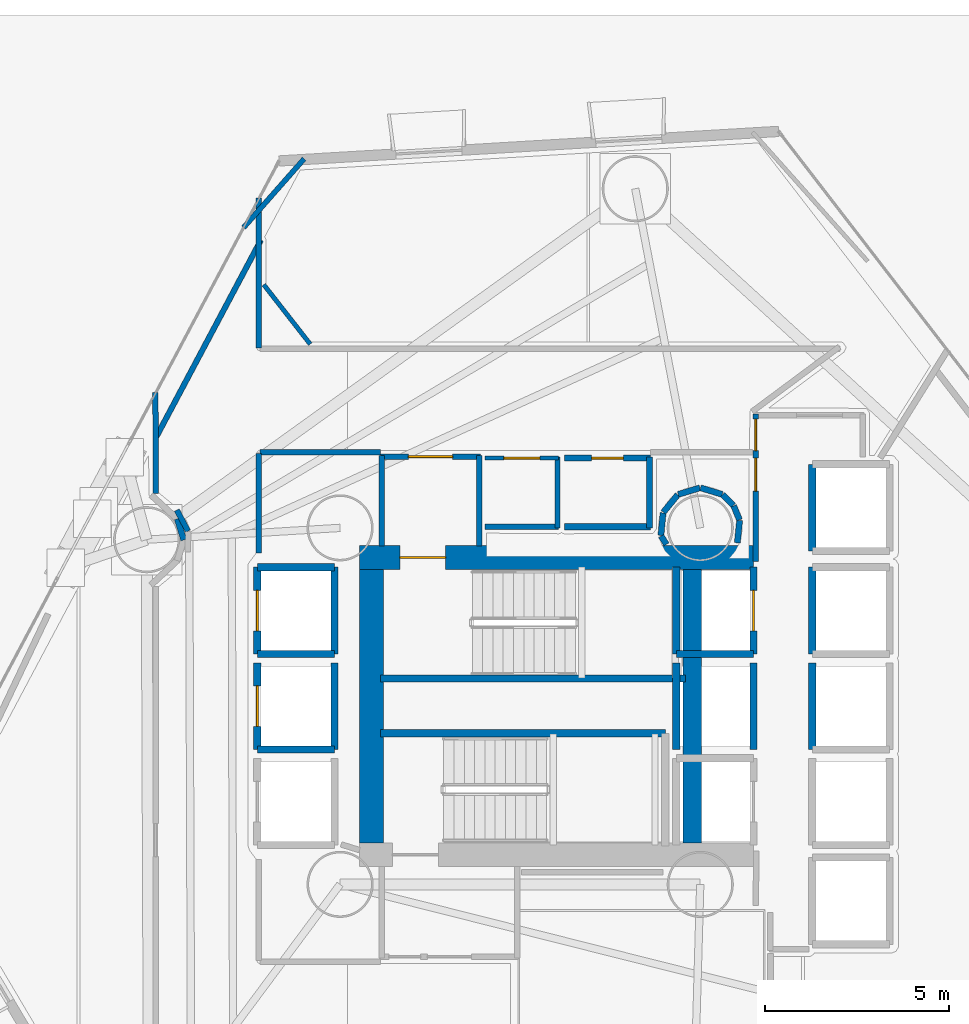
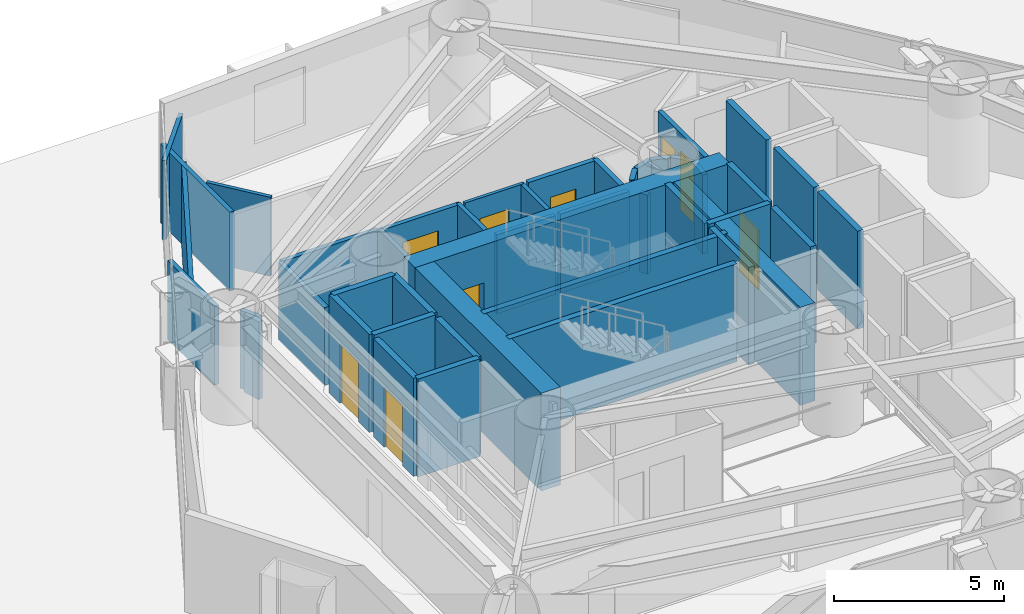
# One storey, part 17 of 22: 47 walls, 9 doors, 9 openings.
"""IFC4 building model written with IfcOpenShell, lengths in metres."""

from ifc_helpers import new_model, si_unit, direction, frame, frame_2d, origin, place, context, subcontext, project, spatial, rectangle, extrude, material, layer, layer_set, type_object, element, fill, save


model = new_model("IFC4")

# Units and contexts
model_context = context("Model", 3, precision=1e-05, world=origin(), true_north=direction((0.0, 1.0)))
body_context = subcontext(model_context, "Body", "Model", "MODEL_VIEW")
ifc_project = project(units=[si_unit("LENGTHUNIT", "METRE"), si_unit("AREAUNIT", "SQUARE_METRE"), si_unit("VOLUMEUNIT", "CUBIC_METRE"), si_unit("PLANEANGLEUNIT", "RADIAN"), si_unit("MASSUNIT", "GRAM", prefix="KILO")], contexts=[model_context])

# Site, building, storey
site_placement = place(None, origin())
site = spatial("IfcSite", under=ifc_project, at=site_placement, CompositionType="ELEMENT")
building_placement = place(site_placement, origin())
building = spatial("IfcBuilding", under=site, at=building_placement, Name="Qianvela Tower", CompositionType="ELEMENT")
storey_placement = place(building_placement, frame((0.0, 0.0, 25.699951171875)))
storey = spatial("IfcBuildingStorey", under=building, at=storey_placement, Name="L05", CompositionType="ELEMENT", Elevation=25.699951171875)

# Wall, opening, door
ifc_material_1 = material(Name="Concrete C60", Category="concrete")
ifc_layer_1 = layer(ifc_material_1, 0.64990234375)
ifc_layer_set_1 = layer_set([ifc_layer_1], Name="Concrete C60")
wall_type_1 = type_object("IfcWallType", Name="WT-CORE-650", PredefinedType="SHEAR", material=ifc_layer_set_1)
wall_1_placement = place(storey_placement, frame((29.1298828125, 32.7451171875, 0.0), z_axis=(0.0, 0.0, 1.0), x_axis=(1.0, 0.0, 0.0)))
wall_1 = element("IfcWall", 1, at=wall_1_placement, inside=storey, type_object=wall_type_1, Name="L05 North Core Shear Wall", PredefinedType="SHEAR", context=body_context, shape_type="SweptSolid", body=[
    extrude(rectangle(XDim=10.72021484375, YDim=0.64990234375, at=frame_2d((5.360107421875, 0.0))), origin(), (0.0, 0.0, 1.0), 3.52001953125),
])
opening_1_placement = place(wall_1_placement, frame((1.094970703125, 0.0, 0.0)))
opening_1 = element("IfcOpeningElement", 2, at=opening_1_placement, cuts=wall_1, Name="Opening D-ST1", PredefinedType="OPENING", context=body_context, shape_type="SweptSolid", body=[
    extrude(rectangle(XDim=1.25, YDim=2.14990234375, at=frame_2d((0.625, 1.074951171875))), frame((0.0, 0.3349609375, 0.0), z_axis=(0.0, -1.0, 0.0), x_axis=(1.0, 0.0, 0.0)), (0.0, 0.0, 1.0), 0.669921875),
])
ifc_material_2 = material(Name="Galvanised Fire Steel Q355B", Category="steel")
door_type_1 = type_object("IfcDoorType", Name="DT-STAIR-FD90", OperationType="NOTDEFINED", PredefinedType="DOOR", material=ifc_material_2)
door_1_placement = place(opening_1_placement, origin())
door_1 = element("IfcDoor", 3, at=door_1_placement, inside=storey, type_object=door_type_1, Name="L05 Stair ST-1 Exit Door", OperationType="SINGLE_SWING_RIGHT", OverallHeight=2.14990234375, OverallWidth=1.25, PredefinedType="DOOR", context=body_context, shape_type="SweptSolid", body=[
    extrude(rectangle(XDim=1.25, YDim=2.14990234375, at=frame_2d((0.625, 1.074951171875))), frame((0.0, 0.02490234375, 0.0), z_axis=(0.0, -1.0, 0.0), x_axis=(1.0, 0.0, 0.0)), (0.0, 0.0, 1.0), 0.050048828125),
])
fill(opening_1, door_1)

# Walls
wall_2_placement = place(storey_placement, frame((29.455078125, 24.97998046875, 0.0), z_axis=(0.0, 0.0, 1.0), x_axis=(0.0, 1.0, 0.0)))
element("IfcWall", 4, at=wall_2_placement, inside=storey, type_object=wall_type_1, Name="L05 West Core Shear Wall", PredefinedType="SHEAR", context=body_context, shape_type="SweptSolid", body=[
    extrude(rectangle(XDim=7.43994140625, YDim=0.64990234375, at=frame_2d((3.719970703125, 0.0))), origin(), (0.0, 0.0, 1.0), 3.52001953125),
])
wall_3_placement = place(storey_placement, frame((38.179931640625, 24.97998046875, 0.0), z_axis=(0.0, 0.0, 1.0), x_axis=(0.0, 1.0, 0.0)))
element("IfcWall", 5, at=wall_3_placement, inside=storey, type_object=wall_type_1, Name="L05 East Spine Core Shear Wall", PredefinedType="SHEAR", context=body_context, shape_type="SweptSolid", body=[
    extrude(rectangle(XDim=7.43994140625, YDim=0.5, at=frame_2d((3.719970703125, 0.0))), origin(), (0.0, 0.0, 1.0), 3.52001953125),
])
ifc_material_3 = material(Name="Fire-Rated Acoustic Gypsum Board")
ifc_layer_2 = layer(ifc_material_3, 0.14990234375)
ifc_layer_set_2 = layer_set([ifc_layer_2], Name="Fire-Rated Acoustic Gypsum Board")
wall_type_2 = type_object("IfcWallType", Name="WT-CORR-150", PredefinedType="PARTITIONING", material=ifc_layer_set_2)
wall_4_placement = place(storey_placement, frame((29.73095703125, 33.05810546875, 0.0), z_axis=(0.0, 0.0, 1.0), x_axis=(0.0, 1.0, 0.0)))
element("IfcWall", 6, at=wall_4_placement, inside=storey, type_object=wall_type_2, Name="L05 Partition 2", PredefinedType="PARTITIONING", context=body_context, shape_type="SweptSolid", body=[
    extrude(rectangle(XDim=2.4619140625, YDim=0.14990234375, at=frame_2d((1.23095703125, 0.0))), origin(), (0.0, 0.0, 1.0), 2.840087890625),
])

# Wall, opening, door
wall_5_placement = place(storey_placement, frame((29.699951171875, 35.489013671875, 0.0), z_axis=(0.0, 0.0, 1.0), x_axis=(1.0, 0.0, 0.0)))
wall_5 = element("IfcWall", 7, at=wall_5_placement, inside=storey, type_object=wall_type_2, Name="L05 Partition 3", PredefinedType="PARTITIONING", context=body_context, shape_type="SweptSolid", body=[
    extrude(rectangle(XDim=2.719970703125, YDim=0.14990234375, at=frame_2d((1.35986328125, 0.0))), origin(), (0.0, 0.0, 1.0), 2.840087890625),
])
opening_2_placement = place(wall_5_placement, frame((0.760009765625, 0.0, 0.0)))
opening_2 = element("IfcOpeningElement", 8, at=opening_2_placement, cuts=wall_5, Name="Opening D-LB1", PredefinedType="OPENING", context=body_context, shape_type="SweptSolid", body=[
    extrude(rectangle(XDim=1.199951171875, YDim=2.14990234375, at=frame_2d((0.60009765625, 1.074951171875))), frame((0.0, 0.0849609375, 0.0), z_axis=(0.0, -1.0, 0.0), x_axis=(1.0, 0.0, 0.0)), (0.0, 0.0, 1.0), 0.169921875),
])
ifc_material_4 = material(Name="Glazed Fire-Rated Steel Frame", Category="steel")
door_type_2 = type_object("IfcDoorType", Name="DT-LOBBY-FD90", OperationType="NOTDEFINED", PredefinedType="DOOR", material=ifc_material_4)
door_2_placement = place(opening_2_placement, origin())
door_2 = element("IfcDoor", 9, at=door_2_placement, inside=storey, type_object=door_type_2, Name="L05 Door L05 Firefighting Lobby North to L05 Floor Corridor", OperationType="SINGLE_SWING_LEFT", OverallHeight=2.14990234375, OverallWidth=1.199951171875, PredefinedType="DOOR", context=body_context, shape_type="SweptSolid", body=[
    extrude(rectangle(XDim=1.199951171875, YDim=2.14990234375, at=frame_2d((0.60009765625, 1.074951171875))), frame((0.0, 0.02490234375, 0.0), z_axis=(0.0, -1.0, 0.0), x_axis=(1.0, 0.0, 0.0)), (0.0, 0.0, 1.0), 0.050048828125),
])
fill(opening_2, door_2)

# Wall
wall_6_placement = place(storey_placement, frame((32.388916015625, 35.52001953125, 0.0), z_axis=(0.0, 0.0, 1.0), x_axis=(0.0, -1.0, 0.0)))
element("IfcWall", 10, at=wall_6_placement, inside=storey, type_object=wall_type_2, Name="L05 Partition 4", PredefinedType="PARTITIONING", context=body_context, shape_type="SweptSolid", body=[
    extrude(rectangle(XDim=2.4619140625, YDim=0.14990234375, at=frame_2d((1.23095703125, 0.0))), origin(), (0.0, 0.0, 1.0), 2.840087890625),
])

# Wall, openings, doors
wall_7_placement = place(storey_placement, frame((39.910888671875, 32.639892578125, 0.0), z_axis=(0.0, 0.0, 1.0), x_axis=(0.0, 1.0, 0.0)))
wall_7 = element("IfcWall", 11, at=wall_7_placement, inside=storey, type_object=wall_type_2, Name="L05 Partition 10", PredefinedType="PARTITIONING", context=body_context, shape_type="SweptSolid", body=[
    extrude(rectangle(XDim=4.010009765625, YDim=0.14990234375, at=frame_2d((2.0048828125, 0.0))), origin(), (0.0, 0.0, 1.0), 2.840087890625),
])
opening_3_placement = place(wall_7_placement, frame((3.010009765625, 0.0, 0.0)))
opening_3 = element("IfcOpeningElement", 12, at=opening_3_placement, cuts=wall_7, Name="Opening D-LB2", PredefinedType="OPENING", context=body_context, shape_type="SweptSolid", body=[
    extrude(rectangle(XDim=0.860107421875, YDim=2.050048828125, at=frame_2d((0.43017578125, 1.02490234375))), frame((0.0, 0.0849609375, 0.0), z_axis=(0.0, -1.0, 0.0), x_axis=(1.0, 0.0, 0.0)), (0.0, 0.0, 1.0), 0.169921875),
])
opening_4_placement = place(wall_7_placement, frame((1.910400390625, 0.0, 0.0)))
opening_4 = element("IfcOpeningElement", 13, at=opening_4_placement, cuts=wall_7, Name="Opening D-KT1", PredefinedType="OPENING", context=body_context, shape_type="SweptSolid", body=[
    extrude(rectangle(XDim=0.89990234375, YDim=2.10009765625, at=frame_2d((0.449951171875, 1.050048828125))), frame((0.0, 0.0849609375, 0.0), z_axis=(0.0, -1.0, 0.0), x_axis=(1.0, 0.0, 0.0)), (0.0, 0.0, 1.0), 0.169921875),
])
ifc_material_5 = material(Name="Glazed Timber Kitchen Door", Category="wood")
door_type_3 = type_object("IfcDoorType", Name="DT-KITCH-900", OperationType="NOTDEFINED", PredefinedType="DOOR", material=ifc_material_5)
door_3_placement = place(opening_4_placement, origin())
door_3 = element("IfcDoor", 14, at=door_3_placement, inside=storey, type_object=door_type_3, Name="L05 Door Student Tea Pantry L05-03 to L05 Lift Lobby", OperationType="SINGLE_SWING_LEFT", OverallHeight=2.10009765625, OverallWidth=0.89990234375, PredefinedType="DOOR", context=body_context, shape_type="SweptSolid", body=[
    extrude(rectangle(XDim=0.89990234375, YDim=2.10009765625, at=frame_2d((0.449951171875, 1.050048828125))), frame((0.0, 0.02490234375, 0.0), z_axis=(0.0, -1.0, 0.0), x_axis=(1.0, 0.0, 0.0)), (0.0, 0.0, 1.0), 0.050048828125),
])
fill(opening_4, door_3)
ifc_material_6 = material(Name="Insulated Steel Fire Door Q355B", Category="steel")
door_type_4 = type_object("IfcDoorType", Name="DT-LOBBY-FD90-860", OperationType="NOTDEFINED", PredefinedType="DOOR", material=ifc_material_6)
door_4_placement = place(opening_3_placement, origin())
door_4 = element("IfcDoor", 15, at=door_4_placement, inside=storey, type_object=door_type_4, Name="L05 Door L05 Lift Lobby to L05 Floor Corridor", OperationType="SINGLE_SWING_LEFT", OverallHeight=2.050048828125, OverallWidth=0.860107421875, PredefinedType="DOOR", context=body_context, shape_type="SweptSolid", body=[
    extrude(rectangle(XDim=0.860107421875, YDim=2.050048828125, at=frame_2d((0.43017578125, 1.02490234375))), frame((0.0, 0.02490234375, 0.0), z_axis=(0.0, -1.0, 0.0), x_axis=(1.0, 0.0, 0.0)), (0.0, 0.0, 1.0), 0.050048828125),
])
fill(opening_3, door_4)

# Walls
wall_8_placement = place(storey_placement, frame((24.4638671875, 33.461181640625, 0.0), z_axis=(0.0, 0.0, 1.0), x_axis=(-0.4715232649, 0.881853622014, 0.0)))
element("IfcWall", 16, at=wall_8_placement, inside=storey, type_object=wall_type_2, Name="L05 Partition 38", PredefinedType="PARTITIONING", context=body_context, shape_type="SweptSolid", body=[
    extrude(rectangle(XDim=0.650390625, YDim=0.14990234375, at=frame_2d((0.3251953125, 0.0))), origin(), (0.0, 0.0, 1.0), 2.798095703125),
])
wall_9_placement = place(storey_placement, frame((23.586669921875, 34.491455078125, 0.0), z_axis=(0.0, 0.0, 1.0), x_axis=(-0.003745626092, 0.999992985118, 0.0)))
element("IfcWall", 17, at=wall_9_placement, inside=storey, type_object=wall_type_2, Name="L05 Partition 40", PredefinedType="PARTITIONING", context=body_context, shape_type="SweptSolid", body=[
    extrude(rectangle(XDim=2.737548828125, YDim=0.14990234375, at=frame_2d((1.36865234375, 0.0))), origin(), (0.0, 0.0, 1.0), 2.840087890625),
])
wall_10_placement = place(storey_placement, frame((23.577392578125, 35.983642578125, 0.0), z_axis=(0.0, 0.0, 1.0), x_axis=(0.469485142528, 0.882940372248, 0.0)))
element("IfcWall", 18, at=wall_10_placement, inside=storey, type_object=wall_type_2, Name="L05 Partition 41", PredefinedType="PARTITIONING", context=body_context, shape_type="SweptSolid", body=[
    extrude(rectangle(XDim=6.11328125, YDim=0.14990234375, at=frame_2d((3.056640625, 0.0))), origin(), (0.0, 0.0, 1.0), 2.840087890625),
])
wall_11_placement = place(storey_placement, frame((26.388916015625, 42.5185546875, 0.0), z_axis=(0.0, 0.0, 1.0), x_axis=(0.0, -1.0, 0.0)))
element("IfcWall", 19, at=wall_11_placement, inside=storey, type_object=wall_type_2, Name="L05 Partition 42", PredefinedType="PARTITIONING", context=body_context, shape_type="SweptSolid", body=[
    extrude(rectangle(XDim=4.068603515625, YDim=0.14990234375, at=frame_2d((2.0341796875, 0.0))), origin(), (0.0, 0.0, 1.0), 2.840087890625),
])
wall_12_placement = place(storey_placement, frame((29.699951171875, 35.611083984375, 0.0), z_axis=(0.0, 0.0, 1.0), x_axis=(-1.0, 0.0, 0.0)))
element("IfcWall", 20, at=wall_12_placement, inside=storey, type_object=wall_type_2, Name="L05 Partition 46 seg 4", PredefinedType="PARTITIONING", context=body_context, shape_type="SweptSolid", body=[
    extrude(rectangle(XDim=3.280029296875, YDim=0.14990234375, at=frame_2d((1.64013671875, 0.0))), origin(), (0.0, 0.0, 1.0), 2.798095703125),
])
wall_13_placement = place(storey_placement, frame((26.388916015625, 35.580078125, 0.0), z_axis=(0.0, 0.0, 1.0), x_axis=(0.0, -1.0, 0.0)))
element("IfcWall", 21, at=wall_13_placement, inside=storey, type_object=wall_type_2, Name="L05 Partition 47", PredefinedType="PARTITIONING", context=body_context, shape_type="SweptSolid", body=[
    extrude(rectangle(XDim=2.71044921875, YDim=0.14990234375, at=frame_2d((1.355224609375, 0.0))), origin(), (0.0, 0.0, 1.0), 2.798095703125),
])

# Wall, opening, door
ifc_material_7 = material(Name="Lightweight Gypsum Room Partition")
ifc_layer_3 = layer(ifc_material_7, 0.10498046875)
ifc_layer_set_3 = layer_set([ifc_layer_3], Name="Lightweight Gypsum Room Partition")
wall_type_3 = type_object("IfcWallType", Name="WT-PART-105", PredefinedType="PARTITIONING", material=ifc_layer_set_3)
wall_14_placement = place(storey_placement, frame((32.550048828125, 35.448974609375, 0.0), z_axis=(0.0, 0.0, 1.0), x_axis=(1.0, 0.0, 0.0)))
wall_14 = element("IfcWall", 22, at=wall_14_placement, inside=storey, type_object=wall_type_3, Name="L05 Partition 20", PredefinedType="PARTITIONING", context=body_context, shape_type="SweptSolid", body=[
    extrude(rectangle(XDim=2.0, YDim=0.10498046875, at=frame_2d((1.0, 0.0))), origin(), (0.0, 0.0, 1.0), 2.840087890625),
])
opening_5_placement = place(wall_14_placement, frame((0.510009765625, 0.0, 0.0)))
opening_5 = element("IfcOpeningElement", 23, at=opening_5_placement, cuts=wall_14, Name="Opening D-RM1", PredefinedType="OPENING", context=body_context, shape_type="SweptSolid", body=[
    extrude(rectangle(XDim=0.97998046875, YDim=2.10009765625, at=frame_2d((0.489990234375, 1.050048828125))), frame((0.0, 0.0625, 0.0), z_axis=(0.0, -1.0, 0.0), x_axis=(1.0, 0.0, 0.0)), (0.0, 0.0, 1.0), 0.125),
])
ifc_material_8 = material(Name="Solid Core Acoustic Timber Fire Door", Category="wood")
door_type_5 = type_object("IfcDoorType", Name="DT-ROOM-FD60", OperationType="NOTDEFINED", PredefinedType="DOOR", material=ifc_material_8)
door_5_placement = place(opening_5_placement, origin())
door_5 = element("IfcDoor", 24, at=door_5_placement, inside=storey, type_object=door_type_5, Name="L05 Door L05 Cleaner Store to L05 Floor Corridor", OperationType="SINGLE_SWING_RIGHT", OverallHeight=2.10009765625, OverallWidth=0.97998046875, PredefinedType="DOOR", context=body_context, shape_type="SweptSolid", body=[
    extrude(rectangle(XDim=0.97998046875, YDim=2.10009765625, at=frame_2d((0.489990234375, 1.050048828125))), frame((0.0, 0.02490234375, 0.0), z_axis=(0.0, -1.0, 0.0), x_axis=(1.0, 0.0, 0.0)), (0.0, 0.0, 1.0), 0.050048828125),
])
fill(opening_5, door_5)

# Walls
ifc_material_9 = material(Name="Insulated Gypsum Stud Partition")
ifc_layer_4 = layer(ifc_material_9, 0.1201171875)
ifc_layer_set_4 = layer_set([ifc_layer_4], Name="Insulated Gypsum Stud Partition")
wall_type_4 = type_object("IfcWallType", Name="WT-PART-120", PredefinedType="PARTITIONING", material=ifc_layer_set_4)
wall_15_placement = place(storey_placement, frame((27.7880859375, 38.549072265625, 0.0), z_axis=(0.0, 0.0, 1.0), x_axis=(-0.615602497153, 0.788056828851, 0.0)))
element("IfcWall", 25, at=wall_15_placement, inside=storey, type_object=wall_type_4, Name="L05 Partition 100", PredefinedType="PARTITIONING", context=body_context, shape_type="SweptSolid", body=[
    extrude(rectangle(XDim=2.052734375, YDim=0.1201171875, at=frame_2d((1.0263671875, 0.0))), origin(), (0.0, 0.0, 1.0), 2.840087890625),
])
ifc_material_10 = material(Name="Sanitary Service Chase Partition")
ifc_layer_5 = layer(ifc_material_10, 0.1650390625)
ifc_layer_set_5 = layer_set([ifc_layer_5], Name="Sanitary Service Chase Partition")
wall_type_5 = type_object("IfcWallType", Name="WT-PLUMB-165", PredefinedType="PLUMBINGWALL", material=ifc_layer_set_5)
wall_16_placement = place(storey_placement, frame((37.050048828125, 33.5810546875, 0.0), z_axis=(0.0, 0.0, 1.0), x_axis=(-1.0, 0.0, 0.0)))
element("IfcWall", 26, at=wall_16_placement, inside=storey, type_object=wall_type_5, Name="L05 Partition 22", PredefinedType="PLUMBINGWALL", context=body_context, shape_type="SweptSolid", body=[
    extrude(rectangle(XDim=2.35009765625, YDim=0.1650390625, at=frame_2d((1.175048828125, 0.0))), origin(), (0.0, 0.0, 1.0), 2.840087890625),
])

# Wall, opening, door
wall_17_placement = place(storey_placement, frame((34.699951171875, 35.448974609375, 0.0), z_axis=(0.0, 0.0, 1.0), x_axis=(1.0, 0.0, 0.0)))
wall_17 = element("IfcWall", 27, at=wall_17_placement, inside=storey, type_object=wall_type_5, Name="L05 Partition 24", PredefinedType="PLUMBINGWALL", context=body_context, shape_type="SweptSolid", body=[
    extrude(rectangle(XDim=2.35009765625, YDim=0.1650390625, at=frame_2d((1.175048828125, 0.0))), origin(), (0.0, 0.0, 1.0), 2.840087890625),
])
opening_6_placement = place(wall_17_placement, frame((0.7451171875, 0.0, 0.0)))
opening_6 = element("IfcOpeningElement", 28, at=opening_6_placement, cuts=wall_17, Name="Opening D-WC1", PredefinedType="OPENING", context=body_context, shape_type="SweptSolid", body=[
    extrude(rectangle(XDim=0.860107421875, YDim=2.050048828125, at=frame_2d((0.43017578125, 1.02490234375))), frame((0.0, 0.092529296875, 0.0), z_axis=(0.0, -1.0, 0.0), x_axis=(1.0, 0.0, 0.0)), (0.0, 0.0, 1.0), 0.18505859375),
])
ifc_material_11 = material(Name="Moisture-Sealed Acoustic Timber Door", Category="wood")
door_type_6 = type_object("IfcDoorType", Name="DT-WC-860", OperationType="NOTDEFINED", PredefinedType="DOOR", material=ifc_material_11)
door_6_placement = place(opening_6_placement, origin())
door_6 = element("IfcDoor", 29, at=door_6_placement, inside=storey, type_object=door_type_6, Name="L05 Door L05 Accessible WC to L05 Floor Corridor", OperationType="SINGLE_SWING_LEFT", OverallHeight=2.050048828125, OverallWidth=0.860107421875, PredefinedType="DOOR", context=body_context, shape_type="SweptSolid", body=[
    extrude(rectangle(XDim=0.860107421875, YDim=2.050048828125, at=frame_2d((0.43017578125, 1.02490234375))), frame((0.0, 0.02490234375, 0.0), z_axis=(0.0, -1.0, 0.0), x_axis=(1.0, 0.0, 0.0)), (0.0, 0.0, 1.0), 0.050048828125),
])
fill(opening_6, door_6)

# Walls
wall_18_placement = place(storey_placement, frame((37.01904296875, 35.47998046875, 0.0), z_axis=(0.0, 0.0, 1.0), x_axis=(0.0, -1.0, 0.0)))
element("IfcWall", 30, at=wall_18_placement, inside=storey, type_object=wall_type_5, Name="L05 Partition 25", PredefinedType="PLUMBINGWALL", context=body_context, shape_type="SweptSolid", body=[
    extrude(rectangle(XDim=1.929931640625, YDim=0.1650390625, at=frame_2d((0.96484375, 0.0))), origin(), (0.0, 0.0, 1.0), 2.840087890625),
])
wall_19_placement = place(storey_placement, frame((24.172607421875, 33.796630859375, 0.0), z_axis=(0.0, 0.0, 1.0), x_axis=(0.29038902353, -0.956908676423, 0.0)))
element("IfcWall", 31, at=wall_19_placement, inside=storey, type_object=wall_type_5, Name="L05 Partition 57", PredefinedType="PLUMBINGWALL", context=body_context, shape_type="SweptSolid", body=[
    extrude(rectangle(XDim=0.603759765625, YDim=0.1650390625, at=frame_2d((0.3017578125, 0.0))), origin(), (0.0, 0.0, 1.0), 2.798095703125),
])
wall_20_placement = place(storey_placement, frame((39.41015625, 33.141357421875, 0.0), z_axis=(0.0, 0.0, 1.0), x_axis=(0.09797199107, 0.995189172452, 0.0)))
element("IfcWall", 32, at=wall_20_placement, inside=storey, type_object=wall_type_5, Name="L05 Partition 88", PredefinedType="PLUMBINGWALL", context=body_context, shape_type="SweptSolid", body=[
    extrude(rectangle(XDim=0.615478515625, YDim=0.1650390625, at=frame_2d((0.3076171875, 0.0))), origin(), (0.0, 0.0, 1.0), 2.840087890625),
])
for number, where, z_axis, x_axis, name in (
    (33, (39.46826171875, 33.768798828125, 0.0), (0.0, 0.0, 1.0), (-0.382560360734, 0.923930500847, 0.0), "L05 Partition 89"),
    (34, (39.30322265625, 34.160888671875, 0.0), (0.0, 0.0, 1.0), (-0.707106781187, 0.707106781187, 0.0), "L05 Partition 90"),
):
    element("IfcWall", number, at=place(storey_placement, frame(where, z_axis=z_axis, x_axis=x_axis)), inside=storey, type_object=wall_type_5, Name=name, PredefinedType="PLUMBINGWALL", context=body_context, shape_type="SweptSolid", body=[
        extrude(rectangle(XDim=0.41357421875, YDim=0.1650390625, at=frame_2d((0.206787109375, 0.0))), origin(), (0.0, 0.0, 1.0), 2.840087890625),
    ])
wall_21_placement = place(storey_placement, frame((38.997802734375, 34.4609375, 0.0), z_axis=(0.0, 0.0, 1.0), x_axis=(-0.956904203315, 0.290403763195, 0.0)))
element("IfcWall", 35, at=wall_21_placement, inside=storey, type_object=wall_type_5, Name="L05 Partition 91", PredefinedType="PLUMBINGWALL", context=body_context, shape_type="SweptSolid", body=[
    extrude(rectangle(XDim=0.615478515625, YDim=0.1650390625, at=frame_2d((0.3076171875, 0.0))), origin(), (0.0, 0.0, 1.0), 2.840087890625),
])
wall_22_placement = place(storey_placement, frame((38.39111328125, 34.6396484375, 0.0), z_axis=(0.0, 0.0, 1.0), x_axis=(-0.956937641938, -0.290293557355, 0.0)))
element("IfcWall", 36, at=wall_22_placement, inside=storey, type_object=wall_type_5, Name="L05 Partition 92", PredefinedType="PLUMBINGWALL", context=body_context, shape_type="SweptSolid", body=[
    extrude(rectangle(XDim=0.61572265625, YDim=0.1650390625, at=frame_2d((0.307861328125, 0.0))), origin(), (0.0, 0.0, 1.0), 2.840087890625),
])
wall_23_placement = place(storey_placement, frame((37.787109375, 34.450927734375, 0.0), z_axis=(0.0, 0.0, 1.0), x_axis=(-0.634468611637, -0.77294862756, 0.0)))
element("IfcWall", 37, at=wall_23_placement, inside=storey, type_object=wall_type_5, Name="L05 Partition 93", PredefinedType="PLUMBINGWALL", context=body_context, shape_type="SweptSolid", body=[
    extrude(rectangle(XDim=0.615234375, YDim=0.1650390625, at=frame_2d((0.3076171875, 0.0))), origin(), (0.0, 0.0, 1.0), 2.840087890625),
])
wall_24_placement = place(storey_placement, frame((37.389892578125, 33.958740234375, 0.0), z_axis=(0.0, 0.0, 1.0), x_axis=(-0.09797199107, -0.995189172452, 0.0)))
element("IfcWall", 38, at=wall_24_placement, inside=storey, type_object=wall_type_5, Name="L05 Partition 94", PredefinedType="PLUMBINGWALL", context=body_context, shape_type="SweptSolid", body=[
    extrude(rectangle(XDim=0.615478515625, YDim=0.1650390625, at=frame_2d((0.3076171875, 0.0))), origin(), (0.0, 0.0, 1.0), 2.840087890625),
])
wall_25_placement = place(storey_placement, frame((37.33447265625, 33.326416015625, 0.0), z_axis=(0.0, 0.0, 1.0), x_axis=(0.544638501186, -0.838670914618, 0.0)))
element("IfcWall", 39, at=wall_25_placement, inside=storey, type_object=wall_type_5, Name="L05 Partition 95", PredefinedType="PLUMBINGWALL", context=body_context, shape_type="SweptSolid", body=[
    extrude(rectangle(XDim=0.269775390625, YDim=0.1650390625, at=frame_2d((0.134765625, 0.0))), origin(), (0.0, 0.0, 1.0), 2.840087890625),
])
ifc_material_12 = material(Name="Acoustic Double Gypsum Stud Partition")
ifc_layer_6 = layer(ifc_material_12, 0.139892578125)
ifc_layer_set_6 = layer_set([ifc_layer_6], Name="Acoustic Double Gypsum Stud Partition")
wall_type_6 = type_object("IfcWallType", Name="WT-ROOM-140", PredefinedType="PARTITIONING", material=ifc_layer_set_6)
wall_26_placement = place(storey_placement, frame((34.550048828125, 33.5810546875, 0.0), z_axis=(0.0, 0.0, 1.0), x_axis=(-1.0, 0.0, 0.0)))
element("IfcWall", 40, at=wall_26_placement, inside=storey, type_object=wall_type_6, Name="L05 Partition 18", PredefinedType="PARTITIONING", context=body_context, shape_type="SweptSolid", body=[
    extrude(rectangle(XDim=2.0, YDim=0.139892578125, at=frame_2d((1.0, 0.0))), origin(), (0.0, 0.0, 1.0), 2.840087890625),
])
wall_27_placement = place(storey_placement, frame((34.51904296875, 35.47998046875, 0.0), z_axis=(0.0, 0.0, 1.0), x_axis=(0.0, -1.0, 0.0)))
element("IfcWall", 41, at=wall_27_placement, inside=storey, type_object=wall_type_6, Name="L05 Partition 21", PredefinedType="PARTITIONING", context=body_context, shape_type="SweptSolid", body=[
    extrude(rectangle(XDim=1.929931640625, YDim=0.139892578125, at=frame_2d((0.96484375, 0.0))), origin(), (0.0, 0.0, 1.0), 2.840087890625),
])
wall_28_placement = place(storey_placement, frame((25.976318359375, 41.722412109375, 0.0), z_axis=(0.0, 0.0, 1.0), x_axis=(0.66103448623, 0.75035552108, 0.0)))
element("IfcWall", 42, at=wall_28_placement, inside=storey, type_object=wall_type_6, Name="L05 Partition 102", PredefinedType="PARTITIONING", context=body_context, shape_type="SweptSolid", body=[
    extrude(rectangle(XDim=2.489990234375, YDim=0.139892578125, at=frame_2d((1.2451171875, 0.0))), origin(), (0.0, 0.0, 1.0), 2.840087890625),
])
ifc_material_13 = material(Name="Concrete C50", Category="concrete")
ifc_layer_7 = layer(ifc_material_13, 0.199951171875)
ifc_layer_set_7 = layer_set([ifc_layer_7], Name="Concrete C50")
wall_type_7 = type_object("IfcWallType", Name="WT-SHAFT-200", PredefinedType="SOLIDWALL", material=ifc_layer_set_7)
wall_29_placement = place(storey_placement, frame((29.699951171875, 29.449951171875, 0.0), z_axis=(0.0, 0.0, 1.0), x_axis=(1.0, 0.0, 0.0)))
element("IfcWall", 43, at=wall_29_placement, inside=storey, type_object=wall_type_7, Name="L05 Stair ST-1 South Wall", PredefinedType="SOLIDWALL", context=body_context, shape_type="SweptSolid", body=[
    extrude(rectangle(XDim=8.300048828125, YDim=0.199951171875, at=frame_2d((4.14990234375, 0.0))), origin(), (0.0, 0.0, 1.0), 3.52001953125),
])
wall_30_placement = place(storey_placement, frame((29.699951171875, 27.9599609375, 0.0), z_axis=(0.0, 0.0, 1.0), x_axis=(1.0, 0.0, 0.0)))
element("IfcWall", 44, at=wall_30_placement, inside=storey, type_object=wall_type_7, Name="L05 Stair ST-2 North Wall", PredefinedType="SOLIDWALL", context=body_context, shape_type="SweptSolid", body=[
    extrude(rectangle(XDim=7.75, YDim=0.199951171875, at=frame_2d((3.875, 0.0))), origin(), (0.0, 0.0, 1.0), 3.52001953125),
])

# Wall, opening, door
wall_31_placement = place(storey_placement, frame((39.85009765625, 30.1201171875, 0.0), z_axis=(0.0, 0.0, 1.0), x_axis=(0.0, 1.0, 0.0)))
wall_31 = element("IfcWall", 45, at=wall_31_placement, inside=storey, type_object=wall_type_7, Name="L05 Lift FL-1 E Shaft Wall", PredefinedType="SOLIDWALL", context=body_context, shape_type="SweptSolid", body=[
    extrude(rectangle(XDim=2.35986328125, YDim=0.199951171875, at=frame_2d((1.179931640625, 0.0))), origin(), (0.0, 0.0, 1.0), 3.52001953125),
])
opening_7_placement = place(wall_31_placement, frame((0.6298828125, 0.0, 0.0)))
opening_7 = element("IfcOpeningElement", 46, at=opening_7_placement, cuts=wall_31, Name="Opening LD-01", PredefinedType="OPENING", context=body_context, shape_type="SweptSolid", body=[
    extrude(rectangle(XDim=1.10009765625, YDim=2.14990234375, at=frame_2d((0.550048828125, 1.074951171875))), frame((0.0, 0.10986328125, 0.0), z_axis=(0.0, -1.0, 0.0), x_axis=(1.0, 0.0, 0.0)), (0.0, 0.0, 1.0), 0.219970703125),
])
ifc_material_14 = material(Name="Brushed Stainless Steel Lift Landing Door", Category="steel")
door_type_7 = type_object("IfcDoorType", Name="DT-LIFT-SLIDE-1100", OperationType="SLIDING_TO_LEFT", PredefinedType="DOOR", material=ifc_material_14)
door_7_placement = place(opening_7_placement, origin())
door_7 = element("IfcDoor", 47, at=door_7_placement, inside=storey, type_object=door_type_7, Name="L05 Lift FL-1 Sliding Landing Door", OperationType="SLIDING_TO_LEFT", OverallHeight=2.14990234375, OverallWidth=1.10009765625, PredefinedType="DOOR", context=body_context, shape_type="SweptSolid", body=[
    extrude(rectangle(XDim=1.10009765625, YDim=2.14990234375, at=frame_2d((0.550048828125, 1.074951171875))), frame((0.0, 0.02490234375, 0.0), z_axis=(0.0, -1.0, 0.0), x_axis=(1.0, 0.0, 0.0)), (0.0, 0.0, 1.0), 0.050048828125),
])
fill(opening_7, door_7)

# Walls
wall_32_placement = place(storey_placement, frame((37.75, 30.1201171875, 0.0), z_axis=(0.0, 0.0, 1.0), x_axis=(0.0, 1.0, 0.0)))
element("IfcWall", 48, at=wall_32_placement, inside=storey, type_object=wall_type_7, Name="L05 Lift FL-1 W Shaft Wall", PredefinedType="SOLIDWALL", context=body_context, shape_type="SweptSolid", body=[
    extrude(rectangle(XDim=2.35986328125, YDim=0.199951171875, at=frame_2d((1.179931640625, 0.0))), origin(), (0.0, 0.0, 1.0), 3.52001953125),
])
wall_33_placement = place(storey_placement, frame((37.75, 30.1201171875, 0.0), z_axis=(0.0, 0.0, 1.0), x_axis=(1.0, 0.0, 0.0)))
element("IfcWall", 49, at=wall_33_placement, inside=storey, type_object=wall_type_7, Name="L05 Lift FL-1 S Shaft Wall", PredefinedType="SOLIDWALL", context=body_context, shape_type="SweptSolid", body=[
    extrude(rectangle(XDim=2.10009765625, YDim=0.199951171875, at=frame_2d((1.050048828125, 0.0))), origin(), (0.0, 0.0, 1.0), 3.52001953125),
])
wall_34_placement = place(storey_placement, frame((28.449951171875, 30.1201171875, 0.0), z_axis=(0.0, 0.0, 1.0), x_axis=(0.0, 1.0, 0.0)))
element("IfcWall", 50, at=wall_34_placement, inside=storey, type_object=wall_type_7, Name="L05 Lift PL-L1 E Shaft Wall", PredefinedType="SOLIDWALL", context=body_context, shape_type="SweptSolid", body=[
    extrude(rectangle(XDim=2.35986328125, YDim=0.199951171875, at=frame_2d((1.179931640625, 0.0))), origin(), (0.0, 0.0, 1.0), 3.52001953125),
])

# Wall, opening, door
wall_35_placement = place(storey_placement, frame((26.35009765625, 30.1201171875, 0.0), z_axis=(0.0, 0.0, 1.0), x_axis=(0.0, 1.0, 0.0)))
wall_35 = element("IfcWall", 51, at=wall_35_placement, inside=storey, type_object=wall_type_7, Name="L05 Lift PL-L1 W Shaft Wall", PredefinedType="SOLIDWALL", context=body_context, shape_type="SweptSolid", body=[
    extrude(rectangle(XDim=2.35986328125, YDim=0.199951171875, at=frame_2d((1.179931640625, 0.0))), origin(), (0.0, 0.0, 1.0), 3.52001953125),
])
opening_8_placement = place(wall_35_placement, frame((0.6298828125, 0.0, 0.0)))
opening_8 = element("IfcOpeningElement", 52, at=opening_8_placement, cuts=wall_35, Name="Opening LD-01", PredefinedType="OPENING", context=body_context, shape_type="SweptSolid", body=[
    extrude(rectangle(XDim=1.10009765625, YDim=2.14990234375, at=frame_2d((0.550048828125, 1.074951171875))), frame((0.0, 0.10986328125, 0.0), z_axis=(0.0, -1.0, 0.0), x_axis=(1.0, 0.0, 0.0)), (0.0, 0.0, 1.0), 0.219970703125),
])
door_8_placement = place(opening_8_placement, origin())
door_8 = element("IfcDoor", 53, at=door_8_placement, inside=storey, type_object=door_type_7, Name="L05 Lift PL-L1 Sliding Landing Door", OperationType="SLIDING_TO_LEFT", OverallHeight=2.14990234375, OverallWidth=1.10009765625, PredefinedType="DOOR", context=body_context, shape_type="SweptSolid", body=[
    extrude(rectangle(XDim=1.10009765625, YDim=2.14990234375, at=frame_2d((0.550048828125, 1.074951171875))), frame((0.0, 0.02490234375, 0.0), z_axis=(0.0, -1.0, 0.0), x_axis=(1.0, 0.0, 0.0)), (0.0, 0.0, 1.0), 0.050048828125),
])
fill(opening_8, door_8)

# Walls
for number, where, z_axis, x_axis, name in (
    (54, (26.35009765625, 32.47998046875, 0.0), (0.0, 0.0, 1.0), (1.0, 0.0, 0.0), "L05 Lift PL-L1 N Shaft Wall"),
    (55, (26.35009765625, 30.1201171875, 0.0), (0.0, 0.0, 1.0), (1.0, 0.0, 0.0), "L05 Lift PL-L1 S Shaft Wall"),
):
    element("IfcWall", number, at=place(storey_placement, frame(where, z_axis=z_axis, x_axis=x_axis)), inside=storey, type_object=wall_type_7, Name=name, PredefinedType="SOLIDWALL", context=body_context, shape_type="SweptSolid", body=[
        extrude(rectangle(XDim=2.099853515625, YDim=0.199951171875, at=frame_2d((1.0498046875, 0.0))), origin(), (0.0, 0.0, 1.0), 3.52001953125),
    ])
wall_36_placement = place(storey_placement, frame((28.449951171875, 27.52001953125, 0.0), z_axis=(0.0, 0.0, 1.0), x_axis=(0.0, 1.0, 0.0)))
element("IfcWall", 56, at=wall_36_placement, inside=storey, type_object=wall_type_7, Name="L05 Lift PL-L2 E Shaft Wall", PredefinedType="SOLIDWALL", context=body_context, shape_type="SweptSolid", body=[
    extrude(rectangle(XDim=2.35986328125, YDim=0.199951171875, at=frame_2d((1.179931640625, 0.0))), origin(), (0.0, 0.0, 1.0), 3.52001953125),
])

# Wall, opening, door
wall_37_placement = place(storey_placement, frame((26.35009765625, 27.52001953125, 0.0), z_axis=(0.0, 0.0, 1.0), x_axis=(0.0, 1.0, 0.0)))
wall_37 = element("IfcWall", 57, at=wall_37_placement, inside=storey, type_object=wall_type_7, Name="L05 Lift PL-L2 W Shaft Wall", PredefinedType="SOLIDWALL", context=body_context, shape_type="SweptSolid", body=[
    extrude(rectangle(XDim=2.35986328125, YDim=0.199951171875, at=frame_2d((1.179931640625, 0.0))), origin(), (0.0, 0.0, 1.0), 3.52001953125),
])
opening_9_placement = place(wall_37_placement, frame((0.6298828125, 0.0, 0.0)))
opening_9 = element("IfcOpeningElement", 58, at=opening_9_placement, cuts=wall_37, Name="Opening LD-01", PredefinedType="OPENING", context=body_context, shape_type="SweptSolid", body=[
    extrude(rectangle(XDim=1.10009765625, YDim=2.14990234375, at=frame_2d((0.550048828125, 1.074951171875))), frame((0.0, 0.10986328125, 0.0), z_axis=(0.0, -1.0, 0.0), x_axis=(1.0, 0.0, 0.0)), (0.0, 0.0, 1.0), 0.219970703125),
])
door_9_placement = place(opening_9_placement, origin())
door_9 = element("IfcDoor", 59, at=door_9_placement, inside=storey, type_object=door_type_7, Name="L05 Lift PL-L2 Sliding Landing Door", OperationType="SLIDING_TO_LEFT", OverallHeight=2.14990234375, OverallWidth=1.10009765625, PredefinedType="DOOR", context=body_context, shape_type="SweptSolid", body=[
    extrude(rectangle(XDim=1.10009765625, YDim=2.14990234375, at=frame_2d((0.550048828125, 1.074951171875))), frame((0.0, 0.02490234375, 0.0), z_axis=(0.0, -1.0, 0.0), x_axis=(1.0, 0.0, 0.0)), (0.0, 0.0, 1.0), 0.050048828125),
])
fill(opening_9, door_9)

# Walls
wall_38_placement = place(storey_placement, frame((26.35009765625, 27.52001953125, 0.0), z_axis=(0.0, 0.0, 1.0), x_axis=(1.0, 0.0, 0.0)))
element("IfcWall", 60, at=wall_38_placement, inside=storey, type_object=wall_type_7, Name="L05 Lift PL-L2 S Shaft Wall", PredefinedType="SOLIDWALL", context=body_context, shape_type="SweptSolid", body=[
    extrude(rectangle(XDim=2.099853515625, YDim=0.199951171875, at=frame_2d((1.0498046875, 0.0))), origin(), (0.0, 0.0, 1.0), 3.52001953125),
])
for number, where, z_axis, x_axis, name in (
    (61, (41.449951171875, 30.1201171875, 0.0), (0.0, 0.0, 1.0), (0.0, 1.0, 0.0), "L05 Lift PL-M1 W Shaft Wall"),
    (62, (41.449951171875, 27.52001953125, 0.0), (0.0, 0.0, 1.0), (0.0, 1.0, 0.0), "L05 Lift PL-M2 W Shaft Wall"),
    (63, (39.85009765625, 27.52001953125, 0.0), (0.0, 0.0, 1.0), (0.0, 1.0, 0.0), "L05 Lift PL-H1 E Shaft Wall"),
    (64, (37.75, 27.52001953125, 0.0), (0.0, 0.0, 1.0), (0.0, 1.0, 0.0), "L05 Lift PL-H1 W Shaft Wall"),
):
    element("IfcWall", number, at=place(storey_placement, frame(where, z_axis=z_axis, x_axis=x_axis)), inside=storey, type_object=wall_type_7, Name=name, PredefinedType="SOLIDWALL", context=body_context, shape_type="SweptSolid", body=[
        extrude(rectangle(XDim=2.35986328125, YDim=0.199951171875, at=frame_2d((1.179931640625, 0.0))), origin(), (0.0, 0.0, 1.0), 3.52001953125),
    ])
wall_39_placement = place(storey_placement, frame((41.449951171875, 32.919921875, 0.0), z_axis=(0.0, 0.0, 1.0), x_axis=(0.0, 1.0, 0.0)))
element("IfcWall", 65, at=wall_39_placement, inside=storey, type_object=wall_type_7, Name="L05 Lift PL-H3 W Shaft Wall", PredefinedType="SOLIDWALL", context=body_context, shape_type="SweptSolid", body=[
    extrude(rectangle(XDim=2.360107421875, YDim=0.199951171875, at=frame_2d((1.18017578125, 0.0))), origin(), (0.0, 0.0, 1.0), 3.52001953125),
])

save(model, "model.ifc")
